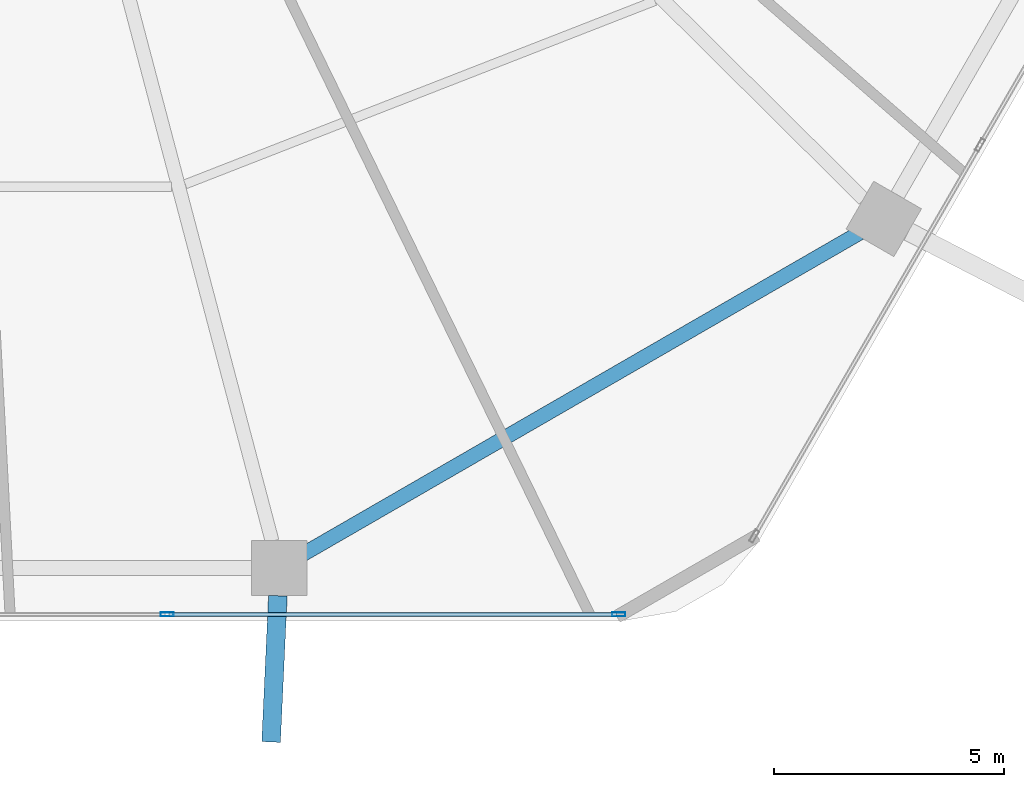
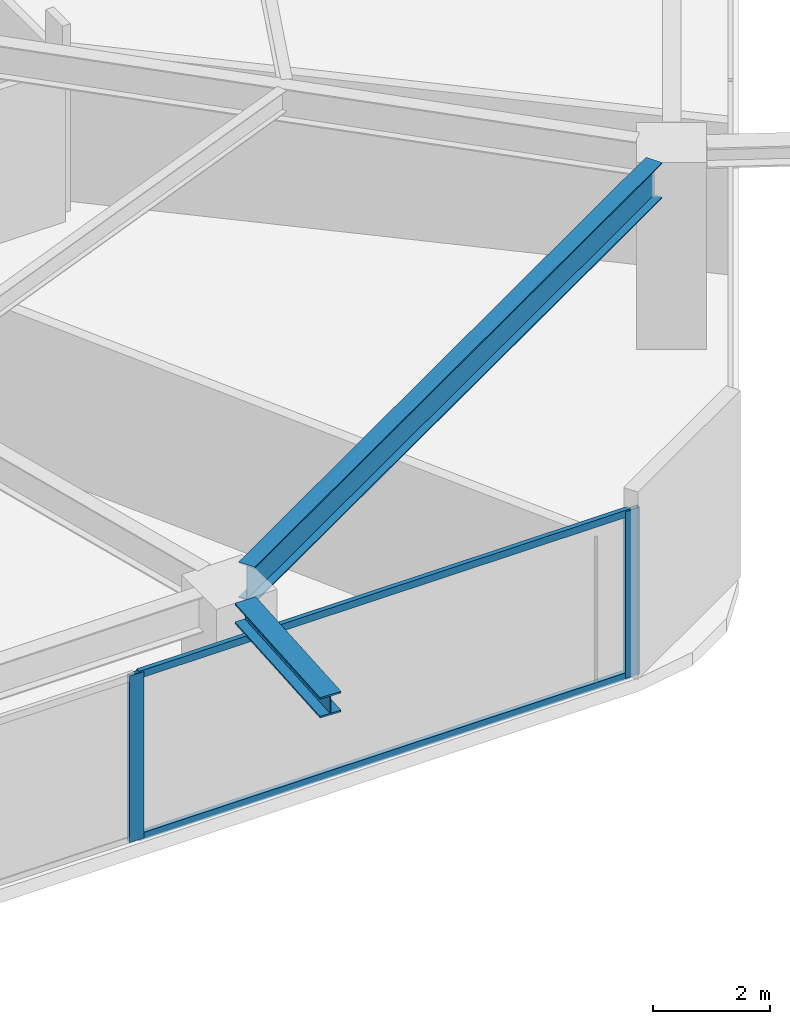
# One storey, part 7 of 27: 4 members, 2 beams, 1 element without a shape of its own.
"""IFC4 building model written with IfcOpenShell, lengths in metres."""

from ifc_helpers import new_model, si_unit, direction, frame, origin, origin_2d, place, context, subcontext, project, spatial, hollow_rectangle, i_section, extrude, material, material_profile, profile_set, type_object, element, aggregate, save


model = new_model("IFC4")

# Units and contexts
model_context = context("Model", 3, precision=1e-05, world=origin(), true_north=direction((0.0, 1.0)))
body_context = subcontext(model_context, "Body", "Model", "MODEL_VIEW")
ifc_project = project(units=[si_unit("LENGTHUNIT", "METRE"), si_unit("AREAUNIT", "SQUARE_METRE"), si_unit("VOLUMEUNIT", "CUBIC_METRE"), si_unit("PLANEANGLEUNIT", "RADIAN"), si_unit("MASSUNIT", "GRAM", prefix="KILO")], contexts=[model_context])

# Site, building, storey
site_placement = place(None, origin())
site = spatial("IfcSite", under=ifc_project, at=site_placement, CompositionType="ELEMENT")
building_placement = place(site_placement, origin())
building = spatial("IfcBuilding", under=site, at=building_placement, Name="Zuhravey Tower", CompositionType="ELEMENT")
storey_placement = place(building_placement, frame((0.0, 0.0, 12.0)))
storey = spatial("IfcBuildingStorey", under=building, at=storey_placement, Name="L03", CompositionType="ELEMENT", Elevation=12.0)

# Curtain wall, members
ifc_material_1 = material(Name="Thermally broken anodised aluminium", Category="aluminium")
curtain_wall_type = type_object("IfcCurtainWallType", Name="School Low-E Unitised Curtain Wall CW1", PredefinedType="NOTDEFINED", material=ifc_material_1)
curtain_wall_placement = place(storey_placement, origin())
curtain_wall = element("IfcCurtainWall", 1, at=curtain_wall_placement, inside=storey, type_object=curtain_wall_type, Name="L03 CW1 CW-L03-F5-1", PredefinedType="NOTDEFINED")
ifc_material_2 = material(Name="Anodised aluminium", Category="aluminium")
ifc_material_profile_1 = material_profile(ifc_material_2, hollow_rectangle(XDim=0.090087890625, YDim=0.284912109375, WallThickness=0.0048828125, at=origin_2d()), Name="ALU-RHS-90x285x5")
ifc_profile_set_1 = profile_set([ifc_material_profile_1], Name="Anodised aluminium")
member_type_1 = type_object("IfcMemberType", Name="Curtain-Wall Mullion 90x180", PredefinedType="MULLION", material=ifc_profile_set_1)
member_1_placement = place(storey_placement, frame((50.75439453125, 3.04150390625, 0.0), z_axis=(0.0, 0.0, 1.0), x_axis=(0.0, -1.0, 0.0)))
member_1 = element("IfcMember", 2, at=member_1_placement, type_object=member_type_1, Name="CW1 mullion 1", PredefinedType="MULLION", context=body_context, shape_type="SweptSolid", body=[
    extrude(hollow_rectangle(XDim=0.090087890625, YDim=0.284912109375, WallThickness=0.0048828125, at=origin_2d()), origin(), (0.0, 0.0, 1.0), 3.491943359375),
])
member_2_placement = place(storey_placement, frame((40.93310546875, 3.04150390625, 0.0), z_axis=(0.0, 0.0, 1.0), x_axis=(0.0, -1.0, 0.0)))
member_2 = element("IfcMember", 3, at=member_2_placement, type_object=member_type_1, Name="CW1 mullion 2", PredefinedType="MULLION", context=body_context, shape_type="SweptSolid", body=[
    extrude(hollow_rectangle(XDim=0.090087890625, YDim=0.284912109375, WallThickness=0.0048828125, at=origin_2d()), origin(), (0.0, 0.0, 1.0), 3.491943359375),
])
ifc_material_profile_2 = material_profile(ifc_material_2, hollow_rectangle(XDim=0.090087890625, YDim=0.14990234375, WallThickness=0.0048828125, at=origin_2d()), Name="ALU-RHS-90x150x5")
ifc_profile_set_2 = profile_set([ifc_material_profile_2], Name="Anodised aluminium")
member_type_2 = type_object("IfcMemberType", Name="Curtain-Wall Transom 90x150", PredefinedType="USERDEFINED", material=ifc_profile_set_2)
member_3_placement = place(storey_placement, frame((50.70947265625, 3.04150390625, 0.044921875), z_axis=(-1.0, 0.0, 0.0), x_axis=(0.0, -1.0, 0.0)))
member_3 = element("IfcMember", 4, at=member_3_placement, type_object=member_type_2, Name="CW1 transom 1.1", ObjectType="TRANSOM", PredefinedType="USERDEFINED", context=body_context, shape_type="SweptSolid", body=[
    extrude(hollow_rectangle(XDim=0.090087890625, YDim=0.14990234375, WallThickness=0.0048828125, at=origin_2d()), origin(), (0.0, 0.0, 1.0), 9.731201171875),
])
member_4_placement = place(storey_placement, frame((50.70947265625, 3.04150390625, 3.447021484375), z_axis=(-1.0, 0.0, 0.0), x_axis=(0.0, -1.0, 0.0)))
member_4 = element("IfcMember", 5, at=member_4_placement, type_object=member_type_2, Name="CW1 transom 1.2", ObjectType="TRANSOM", PredefinedType="USERDEFINED", context=body_context, shape_type="SweptSolid", body=[
    extrude(hollow_rectangle(XDim=0.090087890625, YDim=0.14990234375, WallThickness=0.0048828125, at=origin_2d()), origin(), (0.0, 0.0, 1.0), 9.731201171875),
])
aggregate(curtain_wall, [member_1, member_2, member_3, member_4])

# Beams
ifc_material_3 = material(Name="Steel SM460", Category="steel")
ifc_material_profile_3 = material_profile(ifc_material_3, i_section(OverallWidth=0.406982421875, OverallDepth=0.427978515625, WebThickness=0.02001953125, FlangeThickness=0.034912109375, at=origin_2d()), Name="H-428x407x20x35")
ifc_profile_set_3 = profile_set([ifc_material_profile_3], Name="Steel SM460")
beam_type_1 = type_object("IfcBeamType", Name="Exoskeleton Node Tie Beam H428x407", PredefinedType="BEAM", material=ifc_profile_set_3)
beam_1_placement = place(storey_placement, frame((43.342041015625, 3.447509765625, 3.7060546875), z_axis=(-0.046308390772, -0.998927191012, 0.0), x_axis=(0.998927191012, -0.046308390772, 0.0)))
element("IfcBeam", 6, at=beam_1_placement, inside=storey, type_object=beam_type_1, Name="L03 Exoskeleton Node Tie NT1-10", PredefinedType="BEAM", context=body_context, shape_type="SweptSolid", body=[
    extrude(i_section(OverallWidth=0.406982421875, OverallDepth=0.427978515625, WebThickness=0.02001953125, FlangeThickness=0.034912109375, at=origin_2d()), origin(), (0.0, 0.0, 1.0), 3.184326171875),
])
ifc_material_4 = material(Name="Steel SM355", Category="steel")
ifc_material_profile_4 = material_profile(ifc_material_4, i_section(OverallWidth=0.320068359375, OverallDepth=0.75, WebThickness=0.013916015625, FlangeThickness=0.02490234375, at=origin_2d()), Name="H-750x320x14x25")
ifc_profile_set_4 = profile_set([ifc_material_profile_4], Name="Steel SM355")
beam_type_2 = type_object("IfcBeamType", Name="Perimeter Ring Beam H750x320", PredefinedType="BEAM", material=ifc_profile_set_4)
beam_2_placement = place(storey_placement, frame((43.89208984375, 4.35302734375, 3.544921875), z_axis=(0.866029969761, 0.499992091414, 0.0), x_axis=(-0.499992091414, 0.866029969761, 0.0)))
element("IfcBeam", 7, at=beam_2_placement, inside=storey, type_object=beam_type_2, Name="L03 PB1 BM-L03-PB-10", PredefinedType="BEAM", context=body_context, shape_type="SweptSolid", body=[
    extrude(i_section(OverallWidth=0.320068359375, OverallDepth=0.75, WebThickness=0.013916015625, FlangeThickness=0.02490234375, at=origin_2d()), origin(), (0.0, 0.0, 1.0), 13.977294921875),
])

save(model, "model.ifc")
